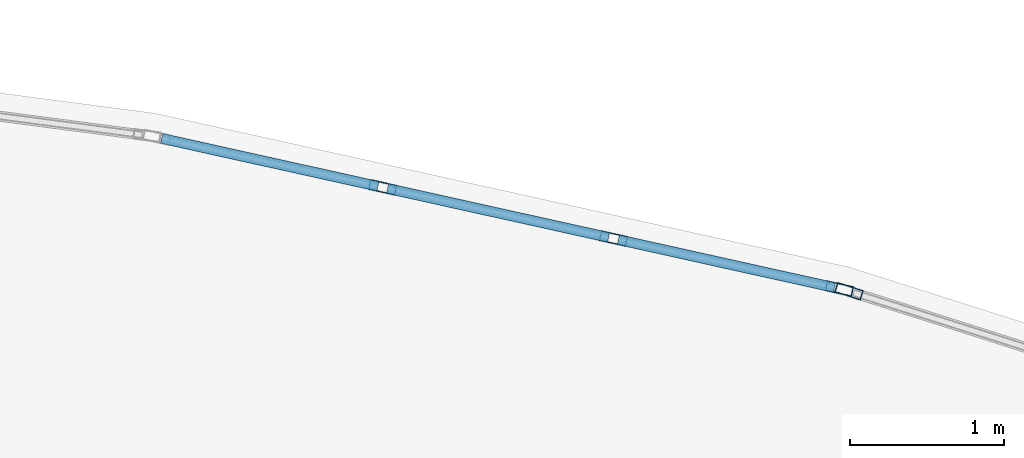
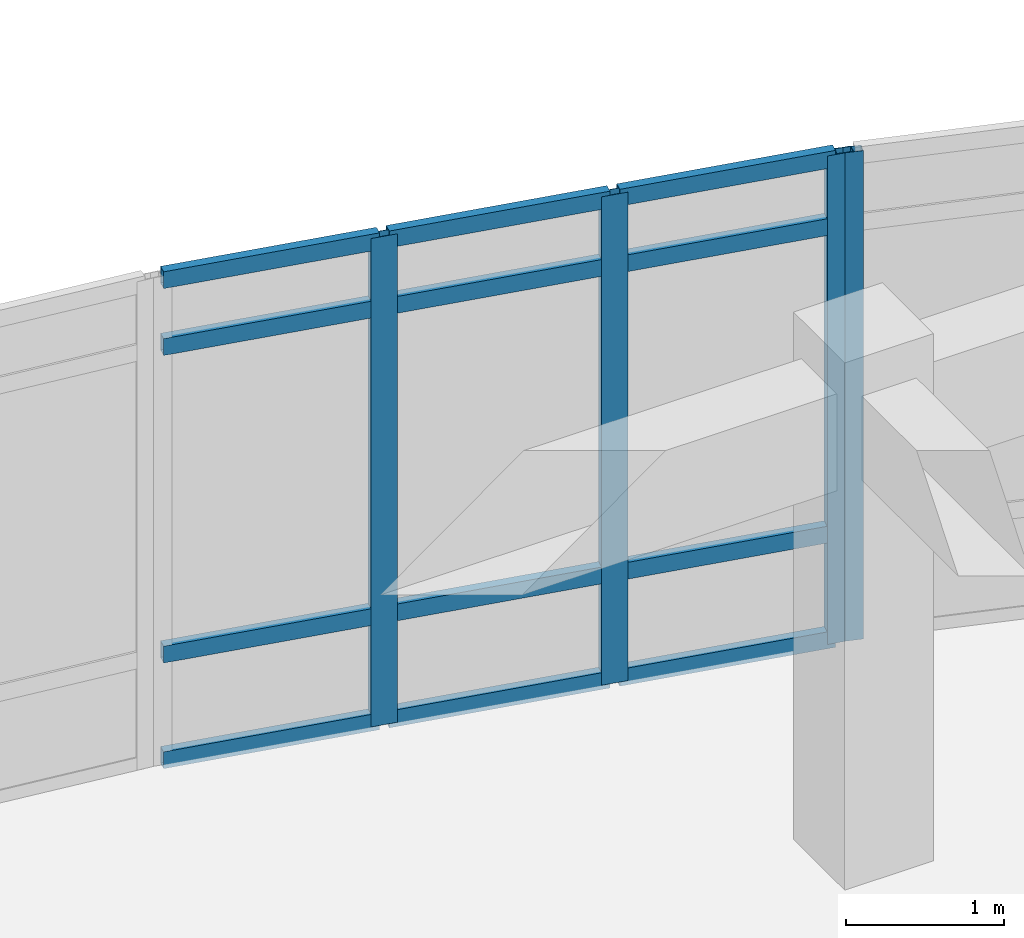
# One storey, part 62 of 146: 16 members, 2 elements without a shape of their own.
"""IFC4 building model written with IfcOpenShell, lengths in metres."""

import ifcopenshell
import ifcopenshell.guid

model = None  # the IFC model being written
_history = None  # IfcOwnerHistory: only IFC2X3 demands one
_inside = {}  # id of a spatial element -> (the spatial element, [elements in it])
_under = {}  # id of a project, library or spatial element -> (it, [spatial elements below it])
_declared = {}  # id of a project -> (the project, [libraries it declares])
_typed = {}  # id of a type object -> (the type object, [elements of that type])
_made_of = {}  # id of a material, layer set ... -> (it, [elements and type objects made of it])


def new_model(schema):
    """Start an empty IFC model of exactly this schema.

    Asked for "IFC4X3", IfcOpenShell would pick the latest addendum, in which some entities
    have other attributes; the version numbers below select the first issue.
    IFC2X3 requires an IfcOwnerHistory on every rooted entity: one is made here for all.
    """
    global model, _history
    if schema == "IFC4X3":
        model = ifcopenshell.file(schema_version=(4, 3, 0, 0))
    else:
        model = ifcopenshell.file(schema=schema)
    _inside.clear()
    _under.clear()
    _declared.clear()
    _typed.clear()
    _made_of.clear()
    _history = None
    if model.schema == "IFC2X3":
        org = make("IfcOrganization", Name="unknown")
        user = make(
            "IfcPersonAndOrganization",
            ThePerson=make("IfcPerson", FamilyName="unknown"),
            TheOrganization=org,
        )
        app = make(
            "IfcApplication",
            ApplicationDeveloper=org,
            Version="unknown",
            ApplicationFullName="unknown",
            ApplicationIdentifier="unknown",
        )
        _history = make(
            "IfcOwnerHistory",
            OwningUser=user,
            OwningApplication=app,
            ChangeAction="ADDED",
            CreationDate=0,
        )
    return model


def make(cls, **values):
    """One entity of the class cls with the attributes given. An attribute that is None is left unset."""
    return model.create_entity(
        cls, **{name: value for name, value in values.items() if value is not None}
    )


def rooted(cls, **values):
    """An entity with a GlobalId (a new one), such as an element, a storey or a relation."""
    return make(cls, GlobalId=ifcopenshell.guid.new(), OwnerHistory=_history, **values)


def si_unit(unit_type, name, prefix=None):
    """IfcSIUnit, for example si_unit("LENGTHUNIT", "METRE", prefix="MILLI")."""
    return make("IfcSIUnit", UnitType=unit_type, Prefix=prefix, Name=name)


def assignment(units):
    """IfcUnitAssignment: the units of a project."""
    return None if units is None else make("IfcUnitAssignment", Units=units)


def point(xyz):
    """IfcCartesianPoint."""
    return None if xyz is None else make("IfcCartesianPoint", Coordinates=xyz)


def direction(xyz):
    """IfcDirection."""
    return None if xyz is None else make("IfcDirection", DirectionRatios=xyz)


def frame(location, z_axis=None, x_axis=None):
    """IfcAxis2Placement3D, a coordinate frame: its origin and axes. An axis left out is left unset."""
    return make(
        "IfcAxis2Placement3D",
        Location=point(location),
        Axis=direction(z_axis),
        RefDirection=direction(x_axis),
    )


def frame_2d(location, x_axis=None):
    """IfcAxis2Placement2D, a coordinate frame in the plane: its origin and x axis."""
    return make(
        "IfcAxis2Placement2D", Location=point(location), RefDirection=direction(x_axis)
    )


def origin():
    """The frame at (0, 0, 0) with its axes left unset."""
    return frame((0.0, 0.0, 0.0))


def origin_2d():
    """The frame at (0, 0) in the plane with its x axis left unset."""
    return frame_2d((0.0, 0.0))


def place(relative_to, where):
    """IfcLocalPlacement: puts the frame where relative to a parent placement (None: the world)."""
    return make(
        "IfcLocalPlacement", PlacementRelTo=relative_to, RelativePlacement=where
    )


def context(
    kind, dimensions, precision=None, world=None, true_north=None, identifier=None
):
    """IfcGeometricRepresentationContext, for example the 3D "Model" context."""
    return make(
        "IfcGeometricRepresentationContext",
        ContextIdentifier=identifier,
        ContextType=kind,
        CoordinateSpaceDimension=dimensions,
        Precision=precision,
        WorldCoordinateSystem=world,
        TrueNorth=true_north,
    )


def subcontext(parent, identifier, kind, view, scale=None):
    """IfcGeometricRepresentationSubContext, for example "Body" below "Model"."""
    return make(
        "IfcGeometricRepresentationSubContext",
        ContextIdentifier=identifier,
        ContextType=kind,
        ParentContext=parent,
        TargetScale=scale,
        TargetView=view,
    )


def project(units=None, contexts=None):
    """IfcProject with its units and contexts."""
    return rooted(
        "IfcProject",
        Name="project",
        RepresentationContexts=contexts,
        UnitsInContext=assignment(units),
    )


def spatial(cls, under=None, at=None, **own):
    """A site, building, storey or space (cls), placed at a placement, below another one or the project."""
    s = rooted(cls, ObjectPlacement=at, **own)
    if under is not None:
        _under.setdefault(under.id(), (under, []))[1].append(s)
    return s


def profile(cls, at=None, kind="AREA", **sizes):
    """A parametric profile (cls). Its sizes go by their IFC names, for example OverallWidth=200.0."""
    return make(cls, ProfileType=kind, Position=at, **sizes)


def hollow_rectangle(**sizes):
    """IfcRectangleHollowProfileDef."""
    return profile("IfcRectangleHollowProfileDef", **sizes)


def extrude(swept, where, along, depth):
    """IfcExtrudedAreaSolid: the profile swept, set in the frame where, extruded along a direction by depth."""
    return make(
        "IfcExtrudedAreaSolid",
        SweptArea=swept,
        Position=where,
        ExtrudedDirection=direction(along),
        Depth=depth,
    )


def shape(context_of_items, identifier, shape_type, items):
    """IfcShapeRepresentation: the items that make up one representation, for example the "Body"."""
    return make(
        "IfcShapeRepresentation",
        ContextOfItems=context_of_items,
        RepresentationIdentifier=identifier,
        RepresentationType=shape_type,
        Items=items,
    )


def material(Name=None, Category=None):
    """IfcMaterial."""
    return make("IfcMaterial", Name=Name, Category=Category)


def layer(
    of_material, thickness, ventilated=None, Name=None, Category=None, Priority=None
):
    """IfcMaterialLayer: one layer of a wall or slab, of a material (None: an air gap)."""
    return make(
        "IfcMaterialLayer",
        Material=of_material,
        LayerThickness=thickness,
        IsVentilated=ventilated,
        Name=Name,
        Category=Category,
        Priority=Priority,
    )


def layer_set(layers, Name=None):
    """IfcMaterialLayerSet."""
    return make("IfcMaterialLayerSet", MaterialLayers=layers, LayerSetName=Name)


def material_profile(
    of_material, cross_section, Name=None, Category=None, Priority=None
):
    """IfcMaterialProfile: a cross section and its material."""
    return make(
        "IfcMaterialProfile",
        Name=Name,
        Material=of_material,
        Profile=cross_section,
        Priority=Priority,
        Category=Category,
    )


def profile_set(profiles, Name=None, composite=None):
    """IfcMaterialProfileSet."""
    return make(
        "IfcMaterialProfileSet",
        Name=Name,
        MaterialProfiles=profiles,
        CompositeProfile=composite,
    )


def made_of(thing, what):
    """Note that an element or type object is made of a material, layer set ...; save() writes the relation."""
    if what is not None:
        _made_of.setdefault(what.id(), (what, []))[1].append(thing)
    return thing


def type_object(cls, material=None, **own):
    """A type object (cls), such as IfcWallType, which elements share."""
    return made_of(rooted(cls, **own), material)


def element(
    cls,
    number,
    at=None,
    inside=None,
    cuts=None,
    type_object=None,
    material=None,
    context=None,
    identifier="Body",
    shape_type=None,
    held_by="IfcProductDefinitionShape",
    body=None,
    shapes=None,
    **own,
):
    """One element of the class cls, such as IfcWall. Its Tag is "e" and its number.

    at: its placement. inside: the storey or other place that contains it. cuts: it is an
    opening in that element (IfcRelVoidsElement). A single representation is given by context,
    identifier, shape_type and body (its items); several are given by shapes. held_by: the class
    of the entity that holds the representations. save() writes the other relations.
    """
    e = rooted(cls, Tag="e%d" % number, ObjectPlacement=at, **own)
    if body is not None:
        shapes = [shape(context, identifier, shape_type, body)]
    if shapes is not None:
        e.Representation = make(held_by, Representations=shapes)
    if inside is not None:
        _inside.setdefault(inside.id(), (inside, []))[1].append(e)
    if cuts is not None:
        rooted(
            "IfcRelVoidsElement", RelatingBuildingElement=cuts, RelatedOpeningElement=e
        )
    if type_object is not None:
        _typed.setdefault(type_object.id(), (type_object, []))[1].append(e)
    return made_of(e, material)


def aggregate(whole, parts):
    """IfcRelAggregates: a whole, such as a stair, and the parts it consists of."""
    return rooted("IfcRelAggregates", RelatingObject=whole, RelatedObjects=parts)


def save(model, path):
    """Write the relations noted so far, then the file.

    IfcRelAggregates (storeys below a building ...), IfcRelContainedInSpatialStructure (elements
    in a storey), IfcRelDefinesByType, IfcRelAssociatesMaterial and IfcRelDeclares: one each for
    every whole, place, type object, material and project.
    """
    for whole, parts in _under.values():
        aggregate(whole, parts)
    for where, things in _inside.values():
        rooted(
            "IfcRelContainedInSpatialStructure",
            RelatedElements=things,
            RelatingStructure=where,
        )
    for kind, things in _typed.values():
        rooted("IfcRelDefinesByType", RelatedObjects=things, RelatingType=kind)
    for what, things in _made_of.values():
        rooted("IfcRelAssociatesMaterial", RelatedObjects=things, RelatingMaterial=what)
    for by, libraries in _declared.values():
        rooted("IfcRelDeclares", RelatingContext=by, RelatedDefinitions=libraries)
    model.write(path)


model = new_model("IFC4")

# Units and contexts
model_context = context("Model", 3, precision=1e-05, world=origin(), true_north=direction((0.0, 1.0)))
body_context = subcontext(model_context, "Body", "Model", "MODEL_VIEW")
ifc_project = project(units=[si_unit("LENGTHUNIT", "METRE"), si_unit("AREAUNIT", "SQUARE_METRE"), si_unit("VOLUMEUNIT", "CUBIC_METRE"), si_unit("PLANEANGLEUNIT", "RADIAN"), si_unit("MASSUNIT", "GRAM", prefix="KILO")], contexts=[model_context])

# Site, building, storey
site_placement = place(None, origin())
site = spatial("IfcSite", under=ifc_project, at=site_placement, CompositionType="ELEMENT")
building_placement = place(site_placement, origin())
building = spatial("IfcBuilding", under=site, at=building_placement, Name="Valcora Specialist Clinic", CompositionType="ELEMENT")
storey_placement = place(building_placement, frame((0.0, 0.0, 9.52001953125)))
storey = spatial("IfcBuildingStorey", under=building, at=storey_placement, Name="L02", CompositionType="ELEMENT", Elevation=9.52001953125)

# Curtain wall, members
ifc_material = material(Name="Anodized Bronze Aluminium 6063-T6", Category="aluminium")
ifc_layer = layer(ifc_material, 0.175048828125)
ifc_layer_set = layer_set([ifc_layer], Name="Anodized Bronze Aluminium 6063-T6")
curtain_wall_type = type_object("IfcCurtainWallType", Name="TY-CW-ARC40", PredefinedType="NOTDEFINED", material=ifc_layer_set)
curtain_wall_1_placement = place(storey_placement, origin())
curtain_wall_1 = element("IfcCurtainWall", 1, at=curtain_wall_1_placement, inside=storey, type_object=curtain_wall_type, Name="Curtain wall CW-L02-208", PredefinedType="NOTDEFINED")
ifc_material_profile_1 = material_profile(ifc_material, hollow_rectangle(XDim=0.06494140625, YDim=0.175048828125, WallThickness=0.00390625, at=origin_2d()), Name="AL-MUL-65X175")
ifc_profile_set_1 = profile_set([ifc_material_profile_1], Name="Anodized Bronze Aluminium 6063-T6")
member_type_1 = type_object("IfcMemberType", Name="TY-CWM-65X175", PredefinedType="MULLION", material=ifc_profile_set_1)
member_1_placement = place(storey_placement, frame((97.4697265625, 24.75048828125, 0.0), z_axis=(0.0, 0.0, 1.0), x_axis=(0.216518052372, 0.976278614432, 0.0)))
member_1 = element("IfcMember", 2, at=member_1_placement, type_object=member_type_1, Name="CW-ARC-40 mullion 2", PredefinedType="MULLION", context=body_context, shape_type="SweptSolid", body=[
    extrude(hollow_rectangle(XDim=0.06494140625, YDim=0.175048828125, WallThickness=0.00390625, at=origin_2d()), origin(), (0.0, 0.0, 1.0), 3.780029296875),
])
member_2_placement = place(storey_placement, frame((98.96533203125, 24.418701171875, 0.0), z_axis=(0.0, 0.0, 1.0), x_axis=(0.216518052372, 0.976278614432, 0.0)))
member_2 = element("IfcMember", 3, at=member_2_placement, type_object=member_type_1, Name="CW-ARC-40 mullion 3", PredefinedType="MULLION", context=body_context, shape_type="SweptSolid", body=[
    extrude(hollow_rectangle(XDim=0.06494140625, YDim=0.175048828125, WallThickness=0.00390625, at=origin_2d()), origin(), (0.0, 0.0, 1.0), 3.780029296875),
])
member_3_placement = place(storey_placement, frame((100.42919921875, 24.093994140625, 0.0), z_axis=(0.0, 0.0, 1.0), x_axis=(0.216518052372, 0.976278614432, 0.0)))
member_3 = element("IfcMember", 4, at=member_3_placement, type_object=member_type_1, Name="CW-ARC-40 mullion 4", PredefinedType="MULLION", context=body_context, shape_type="SweptSolid", body=[
    extrude(hollow_rectangle(XDim=0.06494140625, YDim=0.175048828125, WallThickness=0.00390625, at=origin_2d()), origin(), (0.0, 0.0, 1.0), 3.780029296875),
])

# Curtain wall, member
curtain_wall_2_placement = place(storey_placement, origin())
curtain_wall_2 = element("IfcCurtainWall", 5, at=curtain_wall_2_placement, inside=storey, type_object=curtain_wall_type, Name="Curtain wall CW-L02-209", PredefinedType="NOTDEFINED")
member_4_placement = place(storey_placement, frame((100.491943359375, 24.0771484375, 0.0), z_axis=(0.0, 0.0, 1.0), x_axis=(0.303233270958, 0.952916356972, 0.0)))
member_4 = element("IfcMember", 6, at=member_4_placement, type_object=member_type_1, Name="CW-ARC-40 mullion 1", PredefinedType="MULLION", context=body_context, shape_type="SweptSolid", body=[
    extrude(hollow_rectangle(XDim=0.06494140625, YDim=0.175048828125, WallThickness=0.00390625, at=origin_2d()), origin(), (0.0, 0.0, 1.0), 3.780029296875),
])
aggregate(curtain_wall_2, [member_4])

# Member
ifc_material_profile_2 = material_profile(ifc_material, hollow_rectangle(XDim=0.06494140625, YDim=0.1298828125, WallThickness=0.00390625, at=origin_2d()), Name="AL-TRN-65X130")
ifc_profile_set_2 = profile_set([ifc_material_profile_2], Name="Anodized Bronze Aluminium 6063-T6")
member_type_2 = type_object("IfcMemberType", Name="TY-CWT-65X130", PredefinedType="USERDEFINED", material=ifc_profile_set_2)
member_5_placement = place(storey_placement, frame((96.037353515625, 25.068115234375, 0.032470703125), z_axis=(0.976255079417, -0.216624144343, 0.0), x_axis=(0.216624144343, 0.976255079417, 0.0)))
member_5 = element("IfcMember", 7, at=member_5_placement, type_object=member_type_2, Name="CW-ARC-40 transom 1.1", ObjectType="TRANSOM", PredefinedType="USERDEFINED", context=body_context, shape_type="SweptSolid", body=[
    extrude(hollow_rectangle(XDim=0.06494140625, YDim=0.1298828125, WallThickness=0.00390625, at=origin_2d()), origin(), (0.0, 0.0, 1.0), 1.434814453125),
])

member_6_placement = place(storey_placement, frame((96.037353515625, 25.068115234375, 0.85009765625), z_axis=(0.976255079417, -0.216624144343, 0.0), x_axis=(0.216624144343, 0.976255079417, 0.0)))
member_6 = element("IfcMember", 8, at=member_6_placement, type_object=member_type_2, Name="CW-ARC-40 transom 1.2", ObjectType="TRANSOM", PredefinedType="USERDEFINED", context=body_context, shape_type="SweptSolid", body=[
    extrude(hollow_rectangle(XDim=0.06494140625, YDim=0.1298828125, WallThickness=0.00390625, at=origin_2d()), origin(), (0.0, 0.0, 1.0), 1.434814453125),
])

member_7_placement = place(storey_placement, frame((96.037353515625, 25.068115234375, 3.22998046875), z_axis=(0.976255079417, -0.216624144343, 0.0), x_axis=(0.216624144343, 0.976255079417, 0.0)))
member_7 = element("IfcMember", 9, at=member_7_placement, type_object=member_type_2, Name="CW-ARC-40 transom 1.3", ObjectType="TRANSOM", PredefinedType="USERDEFINED", context=body_context, shape_type="SweptSolid", body=[
    extrude(hollow_rectangle(XDim=0.06494140625, YDim=0.1298828125, WallThickness=0.00390625, at=origin_2d()), origin(), (0.0, 0.0, 1.0), 1.434814453125),
])

member_8_placement = place(storey_placement, frame((96.037353515625, 25.068115234375, 3.74755859375), z_axis=(0.976255079417, -0.216624144343, 0.0), x_axis=(0.216624144343, 0.976255079417, 0.0)))
member_8 = element("IfcMember", 10, at=member_8_placement, type_object=member_type_2, Name="CW-ARC-40 transom 1.4", ObjectType="TRANSOM", PredefinedType="USERDEFINED", context=body_context, shape_type="SweptSolid", body=[
    extrude(hollow_rectangle(XDim=0.06494140625, YDim=0.1298828125, WallThickness=0.00390625, at=origin_2d()), origin(), (0.0, 0.0, 1.0), 1.434814453125),
])

member_9_placement = place(storey_placement, frame((97.50146484375, 24.743408203125, 0.032470703125), z_axis=(0.976277043921, -0.216525133676, 0.0), x_axis=(0.216525133676, 0.976277043921, 0.0)))
member_9 = element("IfcMember", 11, at=member_9_placement, type_object=member_type_2, Name="CW-ARC-40 transom 2.1", ObjectType="TRANSOM", PredefinedType="USERDEFINED", context=body_context, shape_type="SweptSolid", body=[
    extrude(hollow_rectangle(XDim=0.06494140625, YDim=0.1298828125, WallThickness=0.00390625, at=origin_2d()), origin(), (0.0, 0.0, 1.0), 1.467041015625),
])

member_10_placement = place(storey_placement, frame((97.50146484375, 24.743408203125, 0.85009765625), z_axis=(0.976277043921, -0.216525133676, 0.0), x_axis=(0.216525133676, 0.976277043921, 0.0)))
member_10 = element("IfcMember", 12, at=member_10_placement, type_object=member_type_2, Name="CW-ARC-40 transom 2.2", ObjectType="TRANSOM", PredefinedType="USERDEFINED", context=body_context, shape_type="SweptSolid", body=[
    extrude(hollow_rectangle(XDim=0.06494140625, YDim=0.1298828125, WallThickness=0.00390625, at=origin_2d()), origin(), (0.0, 0.0, 1.0), 1.467041015625),
])

member_11_placement = place(storey_placement, frame((97.50146484375, 24.743408203125, 3.22998046875), z_axis=(0.976277043921, -0.216525133676, 0.0), x_axis=(0.216525133676, 0.976277043921, 0.0)))
member_11 = element("IfcMember", 13, at=member_11_placement, type_object=member_type_2, Name="CW-ARC-40 transom 2.3", ObjectType="TRANSOM", PredefinedType="USERDEFINED", context=body_context, shape_type="SweptSolid", body=[
    extrude(hollow_rectangle(XDim=0.06494140625, YDim=0.1298828125, WallThickness=0.00390625, at=origin_2d()), origin(), (0.0, 0.0, 1.0), 1.467041015625),
])

member_12_placement = place(storey_placement, frame((97.50146484375, 24.743408203125, 3.74755859375), z_axis=(0.976277043921, -0.216525133676, 0.0), x_axis=(0.216525133676, 0.976277043921, 0.0)))
member_12 = element("IfcMember", 14, at=member_12_placement, type_object=member_type_2, Name="CW-ARC-40 transom 2.4", ObjectType="TRANSOM", PredefinedType="USERDEFINED", context=body_context, shape_type="SweptSolid", body=[
    extrude(hollow_rectangle(XDim=0.06494140625, YDim=0.1298828125, WallThickness=0.00390625, at=origin_2d()), origin(), (0.0, 0.0, 1.0), 1.467041015625),
])

member_13_placement = place(storey_placement, frame((98.9970703125, 24.41162109375, 0.032470703125), z_axis=(0.976283078872, -0.216497921256, 0.0), x_axis=(0.216497921256, 0.976283078872, 0.0)))
member_13 = element("IfcMember", 15, at=member_13_placement, type_object=member_type_2, Name="CW-ARC-40 transom 3.1", ObjectType="TRANSOM", PredefinedType="USERDEFINED", context=body_context, shape_type="SweptSolid", body=[
    extrude(hollow_rectangle(XDim=0.06494140625, YDim=0.1298828125, WallThickness=0.00390625, at=origin_2d()), origin(), (0.0, 0.0, 1.0), 1.434326171875),
])

member_14_placement = place(storey_placement, frame((98.9970703125, 24.41162109375, 0.85009765625), z_axis=(0.976283078872, -0.216497921256, 0.0), x_axis=(0.216497921256, 0.976283078872, 0.0)))
member_14 = element("IfcMember", 16, at=member_14_placement, type_object=member_type_2, Name="CW-ARC-40 transom 3.2", ObjectType="TRANSOM", PredefinedType="USERDEFINED", context=body_context, shape_type="SweptSolid", body=[
    extrude(hollow_rectangle(XDim=0.06494140625, YDim=0.1298828125, WallThickness=0.00390625, at=origin_2d()), origin(), (0.0, 0.0, 1.0), 1.434326171875),
])

member_15_placement = place(storey_placement, frame((98.9970703125, 24.41162109375, 3.22998046875), z_axis=(0.976283078872, -0.216497921256, 0.0), x_axis=(0.216497921256, 0.976283078872, 0.0)))
member_15 = element("IfcMember", 17, at=member_15_placement, type_object=member_type_2, Name="CW-ARC-40 transom 3.3", ObjectType="TRANSOM", PredefinedType="USERDEFINED", context=body_context, shape_type="SweptSolid", body=[
    extrude(hollow_rectangle(XDim=0.06494140625, YDim=0.1298828125, WallThickness=0.00390625, at=origin_2d()), origin(), (0.0, 0.0, 1.0), 1.434326171875),
])

member_16_placement = place(storey_placement, frame((98.9970703125, 24.41162109375, 3.74755859375), z_axis=(0.976283078872, -0.216497921256, 0.0), x_axis=(0.216497921256, 0.976283078872, 0.0)))
member_16 = element("IfcMember", 18, at=member_16_placement, type_object=member_type_2, Name="CW-ARC-40 transom 3.4", ObjectType="TRANSOM", PredefinedType="USERDEFINED", context=body_context, shape_type="SweptSolid", body=[
    extrude(hollow_rectangle(XDim=0.06494140625, YDim=0.1298828125, WallThickness=0.00390625, at=origin_2d()), origin(), (0.0, 0.0, 1.0), 1.434326171875),
])

aggregate(curtain_wall_1, [member_1, member_2, member_3, member_5, member_6, member_7, member_8, member_9, member_10, member_11, member_12, member_13, member_14, member_15, member_16])

save(model, "model.ifc")
